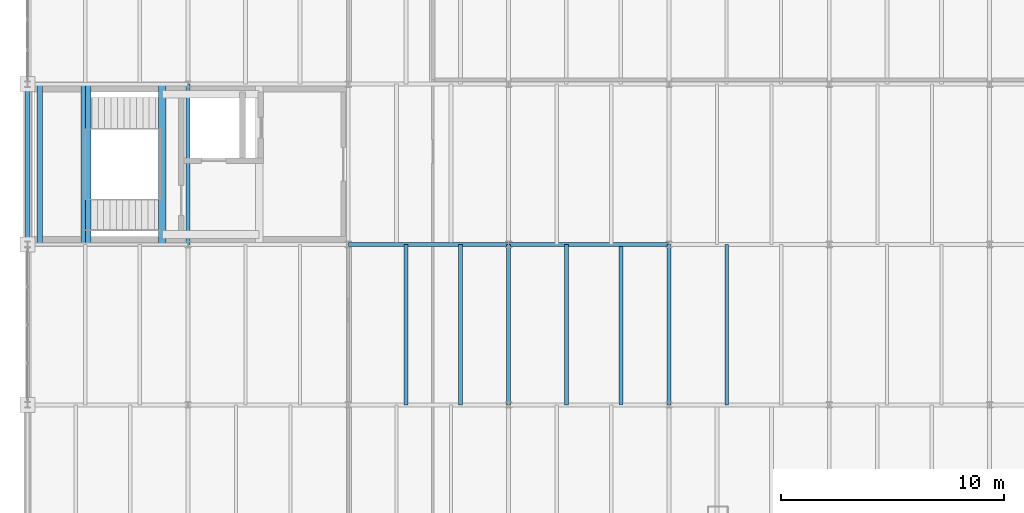
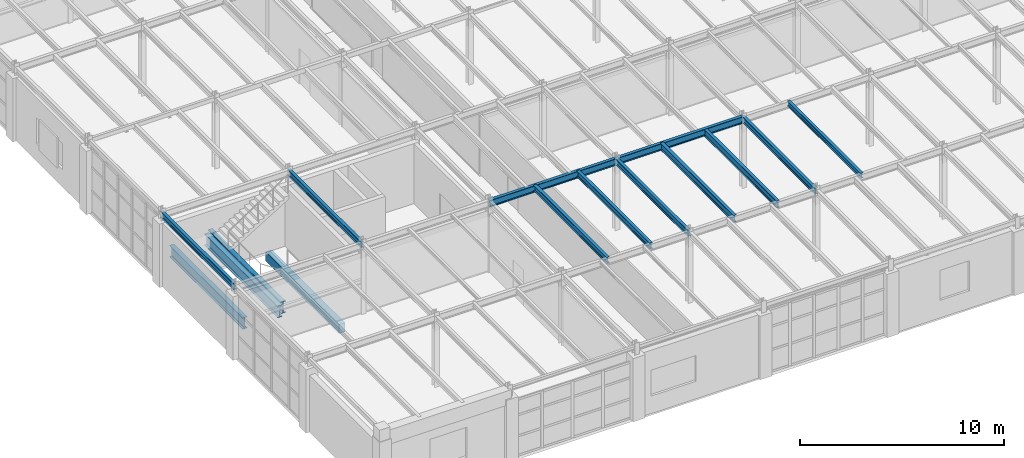
# One storey, part 18 of 101: 15 beams.
"""IFC4 building model written with IfcOpenShell, lengths in metres."""

from ifc_helpers import new_model, si_unit, direction, frame, origin, origin_2d, place, context, subcontext, project, spatial, rectangle, i_section, extrude, material, material_profile, profile_set, type_object, element, save


model = new_model("IFC4")

# Units and contexts
model_context = context("Model", 3, precision=1e-05, world=origin(), true_north=direction((0.0, 1.0)))
body_context = subcontext(model_context, "Body", "Model", "MODEL_VIEW")
ifc_project = project(units=[si_unit("LENGTHUNIT", "METRE"), si_unit("AREAUNIT", "SQUARE_METRE"), si_unit("VOLUMEUNIT", "CUBIC_METRE"), si_unit("PLANEANGLEUNIT", "RADIAN"), si_unit("MASSUNIT", "GRAM", prefix="KILO")], contexts=[model_context])

# Site, building, storey
site_placement = place(None, origin())
site = spatial("IfcSite", under=ifc_project, at=site_placement, CompositionType="ELEMENT")
building_placement = place(site_placement, origin())
building = spatial("IfcBuilding", under=site, at=building_placement, Name="Kemerveld Promenade Tramway Depot", CompositionType="ELEMENT")
storey_placement = place(building_placement, frame((0.0, 0.0, 9.89990234375)))
storey = spatial("IfcBuildingStorey", under=building, at=storey_placement, Name="L02", CompositionType="ELEMENT", Elevation=9.89990234375)

# Beams
ifc_material_1 = material(Name="Steel S355", Category="steel")
ifc_material_profile_1 = material_profile(ifc_material_1, i_section(OverallWidth=0.25439453125, OverallDepth=0.6875, WebThickness=0.01318359375, FlangeThickness=0.02099609375, FilletRadius=0.01513671875, at=origin_2d()), Name="686x254x152 UB")
ifc_profile_set_1 = profile_set([ifc_material_profile_1], Name="Steel S355")
beam_type_1 = type_object("IfcBeamType", Name="BM-G03", PredefinedType="BEAM", material=ifc_profile_set_1)
for number, where, z_axis, x_axis, name in (
    (1, (0.550048828125, 14.39990234375, 1.726318359375), (0.0, 1.0, 0.0), (-1.0, 0.0, 0.0), "BM-HL-ST-01-L02-W"),
    (2, (2.530029296875, 14.39990234375, 1.726318359375), (0.0, 1.0, 0.0), (-1.0, 0.0, 0.0), "BM-HL-ST-01-L02-M"),
    (3, (2.719970703125, 14.39990234375, 1.906494140625), (0.0, 1.0, 0.0), (-1.0, 0.0, 0.0), "BM-HL-ST-01-L02-F2"),
):
    element("IfcBeam", number, at=place(storey_placement, frame(where, z_axis=z_axis, x_axis=x_axis)), inside=storey, type_object=beam_type_1, Name=name, PredefinedType="BEAM", context=body_context, shape_type="SweptSolid", body=[
        extrude(i_section(OverallWidth=0.25439453125, OverallDepth=0.6875, WebThickness=0.01318359375, FlangeThickness=0.02099609375, FilletRadius=0.01513671875, at=origin_2d()), origin(), (0.0, 0.0, 1.0), 7.2001953125),
    ])
ifc_material_profile_2 = material_profile(ifc_material_1, i_section(OverallWidth=0.1787109375, OverallDepth=0.409423828125, WebThickness=0.0087890625, FlangeThickness=0.014404296875, FilletRadius=0.01025390625, at=origin_2d()), Name="406x178x67 UB")
ifc_profile_set_2 = profile_set([ifc_material_profile_2], Name="Steel S355")
beam_type_2 = type_object("IfcBeamType", Name="BM-G07", PredefinedType="BEAM", material=ifc_profile_set_2)
beam_1_placement = place(storey_placement, frame((14.39990234375, 14.39990234375, 4.075439453125), z_axis=(1.0, 0.0, 0.0), x_axis=(0.0, 1.0, 0.0)))
element("IfcBeam", 4, at=beam_1_placement, inside=storey, type_object=beam_type_2, Name="BMX-L02-03-04-C", PredefinedType="BEAM", context=body_context, shape_type="SweptSolid", body=[
    extrude(i_section(OverallWidth=0.1787109375, OverallDepth=0.409423828125, WebThickness=0.0087890625, FlangeThickness=0.014404296875, FilletRadius=0.01025390625, at=origin_2d()), origin(), (0.0, 0.0, 1.0), 7.2001953125),
])
beam_2_placement = place(storey_placement, frame((21.60009765625, 14.39990234375, 4.080322265625), z_axis=(1.0, 0.0, 0.0), x_axis=(0.0, 1.0, 0.0)))
element("IfcBeam", 5, at=beam_2_placement, inside=storey, type_object=beam_type_2, Name="BMX-L02-04-05-C", PredefinedType="BEAM", context=body_context, shape_type="SweptSolid", body=[
    extrude(i_section(OverallWidth=0.1787109375, OverallDepth=0.409423828125, WebThickness=0.0087890625, FlangeThickness=0.014404296875, FilletRadius=0.01025390625, at=origin_2d()), origin(), (0.0, 0.0, 1.0), 7.199951171875),
])
ifc_material_profile_3 = material_profile(ifc_material_1, i_section(OverallWidth=0.172119140625, OverallDepth=0.35791015625, WebThickness=0.008056640625, FlangeThickness=0.012939453125, FilletRadius=0.01025390625, at=origin_2d()), Name="356x171x57 UB")
ifc_profile_set_3 = profile_set([ifc_material_profile_3], Name="Steel S355")
beam_type_3 = type_object("IfcBeamType", Name="BM-G08", PredefinedType="BEAM", material=ifc_profile_set_3)
for number, where, z_axis, x_axis, name in (
    (6, (0.0, 14.39990234375, 4.10107421875), (0.0, 1.0, 0.0), (-1.0, 0.0, 0.0), "BMY-L02-01-C-D"),
    (7, (7.199951171875, 14.39990234375, 4.10107421875), (0.0, 1.0, 0.0), (-1.0, 0.0, 0.0), "BMY-L02-02-C-D"),
):
    element("IfcBeam", number, at=place(storey_placement, frame(where, z_axis=z_axis, x_axis=x_axis)), inside=storey, type_object=beam_type_3, Name=name, PredefinedType="BEAM", context=body_context, shape_type="SweptSolid", body=[
        extrude(i_section(OverallWidth=0.172119140625, OverallDepth=0.35791015625, WebThickness=0.008056640625, FlangeThickness=0.012939453125, FilletRadius=0.01025390625, at=origin_2d()), origin(), (0.0, 0.0, 1.0), 7.2001953125),
    ])
for number, where, z_axis, x_axis, name in (
    (8, (21.60009765625, 7.199951171875, 4.106201171875), (0.0, 1.0, 0.0), (-1.0, 0.0, 0.0), "BMY-L02-04-B-C"),
    (9, (28.800048828125, 7.199951171875, 4.106201171875), (0.0, 1.0, 0.0), (-1.0, 0.0, 0.0), "BMY-L02-05-B-C"),
):
    element("IfcBeam", number, at=place(storey_placement, frame(where, z_axis=z_axis, x_axis=x_axis)), inside=storey, type_object=beam_type_3, Name=name, PredefinedType="BEAM", context=body_context, shape_type="SweptSolid", body=[
        extrude(i_section(OverallWidth=0.172119140625, OverallDepth=0.35791015625, WebThickness=0.008056640625, FlangeThickness=0.012939453125, FilletRadius=0.01025390625, at=origin_2d()), origin(), (0.0, 0.0, 1.0), 7.199951171875),
    ])
ifc_material_profile_4 = material_profile(ifc_material_1, i_section(OverallWidth=0.165771484375, OverallDepth=0.306640625, WebThickness=0.006591796875, FlangeThickness=0.01171875, FilletRadius=0.0087890625, at=origin_2d()), Name="305x165x46 UB")
ifc_profile_set_4 = profile_set([ifc_material_profile_4], Name="Steel S355")
beam_type_4 = type_object("IfcBeamType", Name="BM-J01", PredefinedType="JOIST", material=ifc_profile_set_4)
beam_3_placement = place(storey_placement, frame((31.39208984375, 7.199951171875, 4.1318359375), z_axis=(0.0, 1.0, 0.0), x_axis=(-1.0, 0.0, 0.0)))
element("IfcBeam", 10, at=beam_3_placement, inside=storey, type_object=beam_type_4, Name="JST-L02-05-B-1", PredefinedType="JOIST", context=body_context, shape_type="SweptSolid", body=[
    extrude(i_section(OverallWidth=0.165771484375, OverallDepth=0.306640625, WebThickness=0.006591796875, FlangeThickness=0.01171875, FilletRadius=0.0087890625, at=origin_2d()), origin(), (0.0, 0.0, 1.0), 7.199951171875),
])
ifc_material_profile_5 = material_profile(ifc_material_1, i_section(OverallWidth=0.172119140625, OverallDepth=0.35791015625, WebThickness=0.008056640625, FlangeThickness=0.012939453125, FilletRadius=0.01025390625, at=origin_2d()), Name="356x171x57 UB")
ifc_profile_set_5 = profile_set([ifc_material_profile_5], Name="Steel S355")
beam_type_5 = type_object("IfcBeamType", Name="BM-J04", PredefinedType="JOIST", material=ifc_profile_set_5)
for number, where, z_axis, x_axis, name in (
    (11, (16.991943359375, 7.199951171875, 4.106201171875), (0.0, 1.0, 0.0), (-1.0, 0.0, 0.0), "JST-L02-03-B-1"),
    (12, (19.43994140625, 7.199951171875, 4.106201171875), (0.0, 1.0, 0.0), (-1.0, 0.0, 0.0), "JST-L02-03-B-2"),
):
    element("IfcBeam", number, at=place(storey_placement, frame(where, z_axis=z_axis, x_axis=x_axis)), inside=storey, type_object=beam_type_5, Name=name, PredefinedType="JOIST", context=body_context, shape_type="SweptSolid", body=[
        extrude(i_section(OverallWidth=0.172119140625, OverallDepth=0.35791015625, WebThickness=0.008056640625, FlangeThickness=0.012939453125, FilletRadius=0.01025390625, at=origin_2d()), origin(), (0.0, 0.0, 1.0), 7.199951171875),
    ])
ifc_material_profile_6 = material_profile(ifc_material_1, i_section(OverallWidth=0.1787109375, OverallDepth=0.409423828125, WebThickness=0.0087890625, FlangeThickness=0.014404296875, FilletRadius=0.01025390625, at=origin_2d()), Name="406x178x67 UB")
ifc_profile_set_6 = profile_set([ifc_material_profile_6], Name="Steel S355")
beam_type_6 = type_object("IfcBeamType", Name="BM-J05", PredefinedType="JOIST", material=ifc_profile_set_6)
for number, where, z_axis, x_axis, name in (
    (13, (24.19189453125, 7.199951171875, 4.080322265625), (0.0, 1.0, 0.0), (-1.0, 0.0, 0.0), "JST-L02-04-B-1"),
    (14, (26.639892578125, 7.199951171875, 4.080322265625), (0.0, 1.0, 0.0), (-1.0, 0.0, 0.0), "JST-L02-04-B-2"),
):
    element("IfcBeam", number, at=place(storey_placement, frame(where, z_axis=z_axis, x_axis=x_axis)), inside=storey, type_object=beam_type_6, Name=name, PredefinedType="JOIST", context=body_context, shape_type="SweptSolid", body=[
        extrude(i_section(OverallWidth=0.1787109375, OverallDepth=0.409423828125, WebThickness=0.0087890625, FlangeThickness=0.014404296875, FilletRadius=0.01025390625, at=origin_2d()), origin(), (0.0, 0.0, 1.0), 7.199951171875),
    ])
ifc_material_2 = material(Name="Concrete C40/50", Category="concrete")
ifc_material_profile_7 = material_profile(ifc_material_2, rectangle(XDim=0.35009765625, YDim=0.550048828125, at=origin_2d()), Name="RC-BM-350x550")
ifc_profile_set_7 = profile_set([ifc_material_profile_7], Name="Concrete C40/50")
beam_type_7 = type_object("IfcBeamType", Name="BM-RC3", PredefinedType="BEAM", material=ifc_profile_set_7)
beam_4_placement = place(storey_placement, frame((6.050048828125, 14.39990234375, -0.5048828125), z_axis=(0.0, 1.0, 0.0), x_axis=(-1.0, 0.0, 0.0)))
element("IfcBeam", 15, at=beam_4_placement, inside=storey, type_object=beam_type_7, Name="BM-CORE-C1-L02-W", PredefinedType="BEAM", context=body_context, shape_type="SweptSolid", body=[
    extrude(rectangle(XDim=0.35009765625, YDim=0.550048828125, at=origin_2d()), origin(), (0.0, 0.0, 1.0), 7.2001953125),
])

save(model, "model.ifc")
